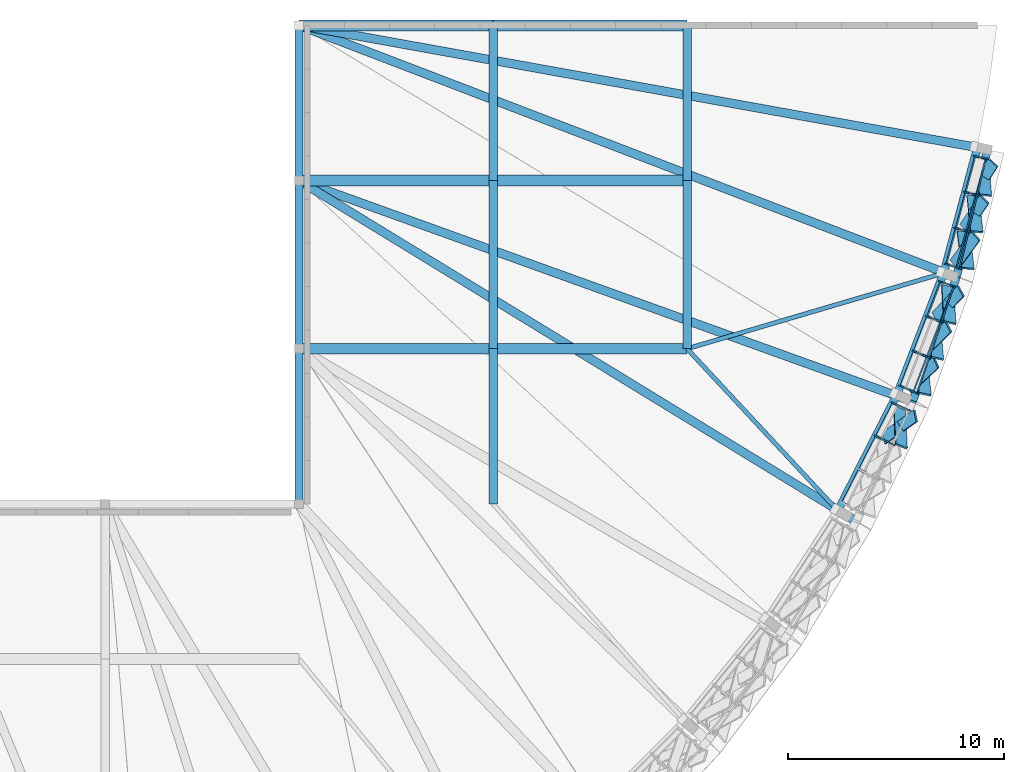
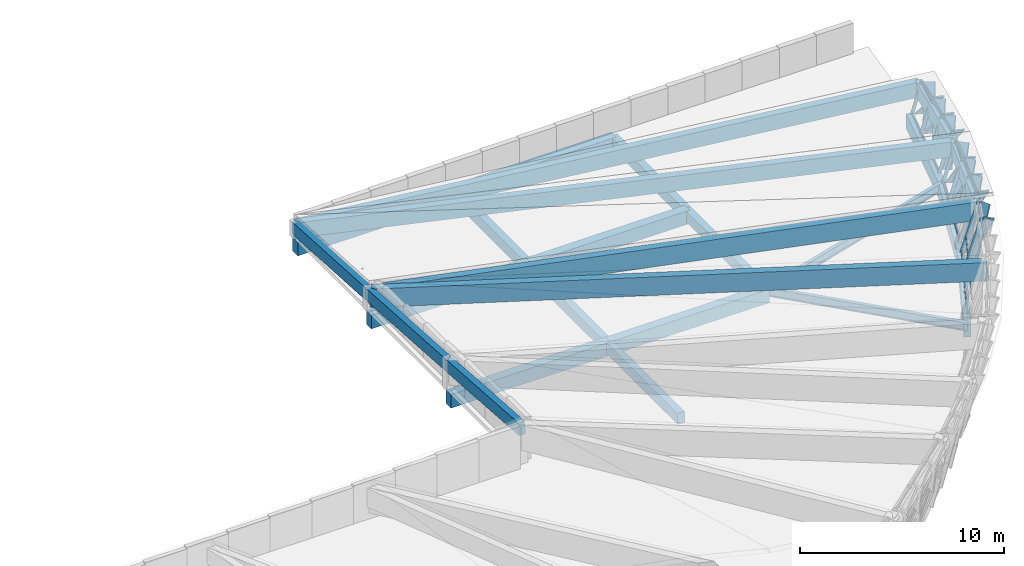
# One storey, part 7 of 11: 32 members, 25 beams, 3 elements without a shape of their own.
"""IFC4 building model written with IfcOpenShell, lengths in metres."""

from ifc_helpers import new_model, si_unit, direction, frame, origin, origin_2d, place, context, subcontext, project, spatial, rectangle, hollow_rectangle, i_section, extrude, material, material_profile, profile_set, type_object, element, aggregate, save


model = new_model("IFC4")

# Units and contexts
model_context = context("Model", 3, precision=1e-05, world=origin(), true_north=direction((0.0, 1.0)))
body_context = subcontext(model_context, "Body", "Model", "MODEL_VIEW")
ifc_project = project(units=[si_unit("LENGTHUNIT", "METRE"), si_unit("AREAUNIT", "SQUARE_METRE"), si_unit("VOLUMEUNIT", "CUBIC_METRE"), si_unit("PLANEANGLEUNIT", "RADIAN"), si_unit("MASSUNIT", "GRAM", prefix="KILO")], contexts=[model_context])

# Site, building, storey
site_placement = place(None, origin())
site = spatial("IfcSite", under=ifc_project, at=site_placement, CompositionType="ELEMENT")
building_placement = place(site_placement, origin())
building = spatial("IfcBuilding", under=site, at=building_placement, Name="Chiffa Square Polytechnic", CompositionType="ELEMENT")
storey_placement = place(building_placement, frame((0.0, 0.0, 30.60009765625)))
storey = spatial("IfcBuildingStorey", under=building, at=storey_placement, Name="ROOF", CompositionType="ELEMENT", Elevation=30.60009765625)

# Beams
ifc_material_1 = material(Name="Concrete C35/45", Category="concrete")
ifc_material_profile_1 = material_profile(ifc_material_1, rectangle(XDim=0.39990234375, YDim=0.64990234375, at=origin_2d()), Name="RC 400x650")
ifc_profile_set_1 = profile_set([ifc_material_profile_1], Name="Concrete C35/45")
beam_type_1 = type_object("IfcBeamType", Name="BM-RC-400X650", PredefinedType="BEAM", material=ifc_profile_set_1)
beam_1_placement = place(storey_placement, frame((157.199951171875, 28.800048828125, -1.30517578125), z_axis=(0.0, 1.0, 0.0), x_axis=(-1.0, 0.0, 0.0)))
element("IfcBeam", 1, at=beam_1_placement, inside=storey, type_object=beam_type_1, Name="Attic floor girder BM-V1-ROOF-Y-1572-0288", PredefinedType="BEAM", context=body_context, shape_type="SweptSolid", body=[
    extrude(rectangle(XDim=0.39990234375, YDim=0.64990234375, at=origin_2d()), origin(), (0.0, 0.0, 1.0), 7.199951171875),
])
beam_2_placement = place(storey_placement, frame((157.199951171875, 36.0, -1.30517578125), z_axis=(0.0, 1.0, 0.0), x_axis=(-1.0, 0.0, 0.0)))
element("IfcBeam", 2, at=beam_2_placement, inside=storey, type_object=beam_type_1, Name="Attic floor girder BM-V1-ROOF-Y-1572-0360", PredefinedType="BEAM", context=body_context, shape_type="SweptSolid", body=[
    extrude(rectangle(XDim=0.39990234375, YDim=0.64990234375, at=origin_2d()), origin(), (0.0, 0.0, 1.0), 7.800048828125),
])
beam_3_placement = place(storey_placement, frame((157.199951171875, 43.800048828125, -1.30517578125), z_axis=(0.0, 1.0, 0.0), x_axis=(-1.0, 0.0, 0.0)))
element("IfcBeam", 3, at=beam_3_placement, inside=storey, type_object=beam_type_1, Name="Attic floor girder BM-V1-ROOF-Y-1572-0438", PredefinedType="BEAM", context=body_context, shape_type="SweptSolid", body=[
    extrude(rectangle(XDim=0.39990234375, YDim=0.64990234375, at=origin_2d()), origin(), (0.0, 0.0, 1.0), 7.199951171875),
])
beam_4_placement = place(storey_placement, frame((166.199951171875, 36.0, -1.30517578125), z_axis=(0.0, 1.0, 0.0), x_axis=(-1.0, 0.0, 0.0)))
element("IfcBeam", 4, at=beam_4_placement, inside=storey, type_object=beam_type_1, Name="Attic floor girder BM-V1-ROOF-Y-1662-0360", PredefinedType="BEAM", context=body_context, shape_type="SweptSolid", body=[
    extrude(rectangle(XDim=0.39990234375, YDim=0.64990234375, at=origin_2d()), origin(), (0.0, 0.0, 1.0), 7.800048828125),
])
beam_5_placement = place(storey_placement, frame((166.199951171875, 43.800048828125, -1.30517578125), z_axis=(0.0, 1.0, 0.0), x_axis=(-1.0, 0.0, 0.0)))
element("IfcBeam", 5, at=beam_5_placement, inside=storey, type_object=beam_type_1, Name="Attic floor girder BM-V1-ROOF-Y-1662-0438", PredefinedType="BEAM", context=body_context, shape_type="SweptSolid", body=[
    extrude(rectangle(XDim=0.39990234375, YDim=0.64990234375, at=origin_2d()), origin(), (0.0, 0.0, 1.0), 7.199951171875),
])
ifc_material_2 = material(Name="Concrete C40/50", Category="concrete")
ifc_material_profile_2 = material_profile(ifc_material_2, rectangle(XDim=0.5, YDim=0.800048828125, at=origin_2d()), Name="RC 500x800")
ifc_profile_set_2 = profile_set([ifc_material_profile_2], Name="Concrete C40/50")
beam_type_2 = type_object("IfcBeamType", Name="BM-RC-500X800", PredefinedType="BEAM", material=ifc_profile_set_2)
for number, where, z_axis, x_axis, name in (
    (6, (148.199951171875, 36.0, -1.380126953125), (1.0, 0.0, 0.0), (0.0, 1.0, 0.0), "Attic floor girder BM-V1-ROOF-X-1482-0360"),
    (7, (157.199951171875, 36.0, -1.380126953125), (1.0, 0.0, 0.0), (0.0, 1.0, 0.0), "Attic floor girder BM-V1-ROOF-X-1572-0360"),
    (8, (148.199951171875, 43.800048828125, -1.380126953125), (1.0, 0.0, 0.0), (0.0, 1.0, 0.0), "Attic floor girder BM-V1-ROOF-X-1482-0438"),
    (9, (157.199951171875, 43.800048828125, -1.380126953125), (1.0, 0.0, 0.0), (0.0, 1.0, 0.0), "Attic floor girder BM-V1-ROOF-X-1572-0438"),
    (10, (148.199951171875, 51.0, -1.380126953125), (1.0, 0.0, 0.0), (0.0, 1.0, 0.0), "Attic floor girder BM-V1-ROOF-X-1482-0510"),
    (11, (157.199951171875, 51.0, -1.380126953125), (1.0, 0.0, 0.0), (0.0, 1.0, 0.0), "Attic floor girder BM-V1-ROOF-X-1572-0510"),
):
    element("IfcBeam", number, at=place(storey_placement, frame(where, z_axis=z_axis, x_axis=x_axis)), inside=storey, type_object=beam_type_2, Name=name, PredefinedType="BEAM", context=body_context, shape_type="SweptSolid", body=[
        extrude(rectangle(XDim=0.5, YDim=0.800048828125, at=origin_2d()), origin(), (0.0, 0.0, 1.0), 9.0),
    ])
ifc_material_3 = material(Name="Steel S355", Category="steel")
ifc_material_profile_3 = material_profile(ifc_material_3, i_section(OverallWidth=0.199951171875, OverallDepth=0.5, WebThickness=0.01025390625, FlangeThickness=0.01611328125, FilletRadius=0.02099609375, at=origin_2d()), Name="IPE 500")
ifc_profile_set_3 = profile_set([ifc_material_profile_3], Name="Steel S355")
beam_type_3 = type_object("IfcBeamType", Name="BM-STL-IPE500", PredefinedType="BEAM", material=ifc_profile_set_3)
beam_6_placement = place(storey_placement, frame((173.196044921875, 28.485107421875, -1.22998046875), z_axis=(-0.681390856765, 0.731919736253, 0.0), x_axis=(-0.731919736253, -0.681390856765, 0.0)))
element("IfcBeam", 12, at=beam_6_placement, inside=storey, type_object=beam_type_3, Name="Prow attic radial tie girder BM-V1-RAD-ROOF-13", PredefinedType="BEAM", context=body_context, shape_type="SweptSolid", body=[
    extrude(i_section(OverallWidth=0.199951171875, OverallDepth=0.5, WebThickness=0.01025390625, FlangeThickness=0.01611328125, FilletRadius=0.02099609375, at=origin_2d()), origin(), (0.0, 0.0, 1.0), 10.267333984375),
])
beam_7_placement = place(storey_placement, frame((178.10498046875, 39.510009765625, -1.22998046875), z_axis=(-0.959179240242, -0.282798842093, 0.0), x_axis=(0.282798842093, -0.959179240242, 0.0)))
element("IfcBeam", 13, at=beam_7_placement, inside=storey, type_object=beam_type_3, Name="Prow attic radial tie girder BM-V1-RAD-ROOF-15", PredefinedType="BEAM", context=body_context, shape_type="SweptSolid", body=[
    extrude(i_section(OverallWidth=0.199951171875, OverallDepth=0.5, WebThickness=0.01025390625, FlangeThickness=0.01611328125, FilletRadius=0.02099609375, at=origin_2d()), origin(), (0.0, 0.0, 1.0), 12.41162109375),
])

# Curtain wall, members
ifc_material_4 = material(Name="Aluminium EN AW-6060 T66 and glulam shading", Category="wood")
curtain_wall_type_1 = type_object("IfcCurtainWallType", Name="CW-PROW-LEAN-150", PredefinedType="USERDEFINED", material=ifc_material_4)
curtain_wall_1_placement = place(storey_placement, origin())
curtain_wall_1 = element("IfcCurtainWall", 14, at=curtain_wall_1_placement, inside=storey, type_object=curtain_wall_type_1, Name="Outward-leaning diamond-fin prow curtain wall CW-V1-ROOF-122", ObjectType="CURTAIN WALL", PredefinedType="USERDEFINED")
ifc_material_5 = material(Name="Aluminium EN AW-6060 T66", Category="aluminium")
ifc_material_profile_4 = material_profile(ifc_material_5, hollow_rectangle(XDim=0.06494140625, YDim=0.179931640625, WallThickness=0.00390625, at=origin_2d()), Name="ALU 65x180x4")
ifc_profile_set_4 = profile_set([ifc_material_profile_4], Name="Aluminium EN AW-6060 T66")
member_type_1 = type_object("IfcMemberType", Name="CWM-ALU-75X180", PredefinedType="MULLION", material=ifc_profile_set_4)
member_1_placement = place(storey_placement, frame((174.959716796875, 31.94677734375, -0.75), z_axis=(0.244420451945, -0.119281281072, 0.962304847051), x_axis=(0.438577453458, 0.8986933945, 0.0)))
member_1 = element("IfcMember", 15, at=member_1_placement, type_object=member_type_1, Name="Leaning prow mullion CW-V1-ROOF-122-M02", PredefinedType="MULLION", context=body_context, shape_type="SweptSolid", body=[
    extrude(hollow_rectangle(XDim=0.06494140625, YDim=0.179931640625, WallThickness=0.00390625, at=origin_2d()), origin(), (0.0, 0.0, 1.0), 3.334228515625),
])
member_2_placement = place(storey_placement, frame((175.743896484375, 33.486083984375, -0.75), z_axis=(0.248767953863, -0.110781936471, 0.962206769714), x_axis=(0.406808070942, 0.913513652562, 0.0)))
member_2 = element("IfcMember", 16, at=member_2_placement, type_object=member_type_1, Name="Leaning prow mullion CW-V1-ROOF-122-M03", PredefinedType="MULLION", context=body_context, shape_type="SweptSolid", body=[
    extrude(hollow_rectangle(XDim=0.06494140625, YDim=0.179931640625, WallThickness=0.00390625, at=origin_2d()), origin(), (0.0, 0.0, 1.0), 3.105224609375),
])

curtain_wall_type_2 = type_object("IfcCurtainWallType", Name="CW-PROW-LEAN-300", PredefinedType="USERDEFINED", material=ifc_material_4)
curtain_wall_2_placement = place(storey_placement, origin())
curtain_wall_2 = element("IfcCurtainWall", 17, at=curtain_wall_2_placement, inside=storey, type_object=curtain_wall_type_2, Name="Outward-leaning diamond-fin prow curtain wall CW-V1-ROOF-123", ObjectType="CURTAIN WALL", PredefinedType="USERDEFINED")
member_3_placement = place(storey_placement, frame((176.093017578125, 34.27001953125, -0.75), z_axis=(0.248694192904, -0.110784103004, 0.962225587343), x_axis=(0.406915392351, 0.913465852382, 0.0)))
member_3 = element("IfcMember", 18, at=member_3_placement, type_object=member_type_1, Name="Leaning prow mullion CW-V1-ROOF-123-M00", PredefinedType="MULLION", context=body_context, shape_type="SweptSolid", body=[
    extrude(hollow_rectangle(XDim=0.06494140625, YDim=0.179931640625, WallThickness=0.00390625, at=origin_2d()), origin(), (0.0, 0.0, 1.0), 3.10498046875),
])
member_4_placement = place(storey_placement, frame((176.71240234375, 35.883056640625, -0.75), z_axis=(0.25207532407, -0.101791541035, 0.962339084299), x_axis=(0.374437403162, 0.927252193911, 0.0)))
member_4 = element("IfcMember", 19, at=member_4_placement, type_object=member_type_1, Name="Leaning prow mullion CW-V1-ROOF-123-M01", PredefinedType="MULLION", context=body_context, shape_type="SweptSolid", body=[
    extrude(hollow_rectangle(XDim=0.06494140625, YDim=0.179931640625, WallThickness=0.00390625, at=origin_2d()), origin(), (0.0, 0.0, 1.0), 2.89501953125),
])
member_5_placement = place(storey_placement, frame((177.331787109375, 37.49609375, -0.75), z_axis=(0.25541005661, -0.092925980013, 0.962356724516), x_axis=(0.341904225365, 0.939734803377, 0.0)))
member_5 = element("IfcMember", 20, at=member_5_placement, type_object=member_type_1, Name="Leaning prow mullion CW-V1-ROOF-123-M02", PredefinedType="MULLION", context=body_context, shape_type="SweptSolid", body=[
    extrude(hollow_rectangle(XDim=0.06494140625, YDim=0.179931640625, WallThickness=0.00390625, at=origin_2d()), origin(), (0.0, 0.0, 1.0), 2.68505859375),
])
member_6_placement = place(storey_placement, frame((177.950927734375, 39.10888671875, -0.75), z_axis=(0.258817635325, -0.083839554126, 0.962280811826), x_axis=(0.308167768083, 0.951332027588, 0.0)))
member_6 = element("IfcMember", 21, at=member_6_placement, type_object=member_type_1, Name="Leaning prow mullion CW-V1-ROOF-123-M03", PredefinedType="MULLION", context=body_context, shape_type="SweptSolid", body=[
    extrude(hollow_rectangle(XDim=0.06494140625, YDim=0.179931640625, WallThickness=0.00390625, at=origin_2d()), origin(), (0.0, 0.0, 1.0), 2.47509765625),
])

curtain_wall_3_placement = place(storey_placement, origin())
curtain_wall_3 = element("IfcCurtainWall", 22, at=curtain_wall_3_placement, inside=storey, type_object=curtain_wall_type_1, Name="Outward-leaning diamond-fin prow curtain wall CW-V1-ROOF-124", ObjectType="CURTAIN WALL", PredefinedType="USERDEFINED")
member_7_placement = place(storey_placement, frame((178.216064453125, 39.925048828125, -0.75), z_axis=(0.258633566102, -0.083843833405, 0.962329927876), x_axis=(0.308380484769, 0.95126309537, 0.0)))
member_7 = element("IfcMember", 23, at=member_7_placement, type_object=member_type_1, Name="Leaning prow mullion CW-V1-ROOF-124-M00", PredefinedType="MULLION", context=body_context, shape_type="SweptSolid", body=[
    extrude(hollow_rectangle(XDim=0.06494140625, YDim=0.179931640625, WallThickness=0.00390625, at=origin_2d()), origin(), (0.0, 0.0, 1.0), 2.47509765625),
])
member_8_placement = place(storey_placement, frame((178.663330078125, 41.593994140625, -0.75), z_axis=(0.261136991124, -0.07467152524, 0.962409286731), x_axis=(0.274928614795, 0.961464641454, 0.0)))
member_8 = element("IfcMember", 24, at=member_8_placement, type_object=member_type_1, Name="Leaning prow mullion CW-V1-ROOF-124-M01", PredefinedType="MULLION", context=body_context, shape_type="SweptSolid", body=[
    extrude(hollow_rectangle(XDim=0.06494140625, YDim=0.179931640625, WallThickness=0.00390625, at=origin_2d()), origin(), (0.0, 0.0, 1.0), 2.28857421875),
])
member_9_placement = place(storey_placement, frame((179.110595703125, 43.262939453125, -0.75), z_axis=(0.263621330158, -0.065615000678, 0.962392054192), x_axis=(0.241529645036, 0.97039344112, 0.0)))
member_9 = element("IfcMember", 25, at=member_9_placement, type_object=member_type_1, Name="Leaning prow mullion CW-V1-ROOF-124-M02", PredefinedType="MULLION", context=body_context, shape_type="SweptSolid", body=[
    extrude(hollow_rectangle(XDim=0.06494140625, YDim=0.179931640625, WallThickness=0.00390625, at=origin_2d()), origin(), (0.0, 0.0, 1.0), 2.102294921875),
])
member_10_placement = place(storey_placement, frame((179.55810546875, 44.931884765625, -0.75), z_axis=(0.2659092272, -0.05644359734, 0.962344222827), x_axis=(0.207640125059, 0.978205284419, 0.0)))
member_10 = element("IfcMember", 26, at=member_10_placement, type_object=member_type_1, Name="Leaning prow mullion CW-V1-ROOF-124-M03", PredefinedType="MULLION", context=body_context, shape_type="SweptSolid", body=[
    extrude(hollow_rectangle(XDim=0.06494140625, YDim=0.179931640625, WallThickness=0.00390625, at=origin_2d()), origin(), (0.0, 0.0, 1.0), 1.916259765625),
])

# Member
ifc_material_6 = material(Name="Glulam GL28h", Category="wood")
ifc_material_profile_5 = material_profile(ifc_material_6, rectangle(XDim=0.080078125, YDim=0.580078125, at=origin_2d()), Name="GL28h 80x580")
ifc_profile_set_5 = profile_set([ifc_material_profile_5], Name="Glulam GL28h")
member_type_2 = type_object("IfcMemberType", Name="CWM-GL-80X580", PredefinedType="MULLION", material=ifc_profile_set_5)
member_11_placement = place(storey_placement, frame((175.346923828125, 31.85595703125, -0.710205078125), z_axis=(0.42471706852, 0.301911612384, 0.853501487999), x_axis=(-0.882863855577, -0.070580532514, 0.464294950377)))
member_11 = element("IfcMember", 27, at=member_11_placement, type_object=member_type_2, Name="Diamond glulam fin CW-V1-ROOF-122-DF03A", PredefinedType="MULLION", context=body_context, shape_type="SweptSolid", body=[
    extrude(rectangle(XDim=0.080078125, YDim=0.580078125, at=origin_2d()), origin(), (0.0, 0.0, 1.0), 3.42138671875),
])

member_12_placement = place(storey_placement, frame((176.044921875, 33.22607421875, -0.710205078125), z_axis=(0.026265838015, -0.490454829842, 0.871070700712), x_axis=(0.41183546278, 0.799297317357, 0.437624668023)))
member_12 = element("IfcMember", 28, at=member_12_placement, type_object=member_type_2, Name="Diamond glulam fin CW-V1-ROOF-122-DF03B", PredefinedType="MULLION", context=body_context, shape_type="SweptSolid", body=[
    extrude(rectangle(XDim=0.080078125, YDim=0.580078125, at=origin_2d()), origin(), (0.0, 0.0, 1.0), 3.57861328125),
])

member_13_placement = place(storey_placement, frame((176.487060546875, 34.219970703125, -0.710205078125), z_axis=(0.393653572989, 0.357507149798, 0.846891670945), x_axis=(-0.826225072852, -0.266258667059, 0.496445819005)))
member_13 = element("IfcMember", 29, at=member_13_placement, type_object=member_type_2, Name="Diamond glulam fin CW-V1-ROOF-123-DF01A", PredefinedType="MULLION", context=body_context, shape_type="SweptSolid", body=[
    extrude(rectangle(XDim=0.080078125, YDim=0.580078125, at=origin_2d()), origin(), (0.0, 0.0, 1.0), 3.208251953125),
])

member_14_placement = place(storey_placement, frame((177.0390625, 35.656005859375, -0.710205078125), z_axis=(0.058236918176, -0.520039163289, 0.852154757076), x_axis=(0.267604457387, 0.830495756849, 0.488533163913)))
member_14 = element("IfcMember", 30, at=member_14_placement, type_object=member_type_2, Name="Diamond glulam fin CW-V1-ROOF-123-DF01B", PredefinedType="MULLION", context=body_context, shape_type="SweptSolid", body=[
    extrude(rectangle(XDim=0.080078125, YDim=0.580078125, at=origin_2d()), origin(), (0.0, 0.0, 1.0), 3.39990234375),
])

member_15_placement = place(storey_placement, frame((177.10693359375, 35.8330078125, -0.710205078125), z_axis=(0.400913368887, 0.392314906175, 0.827863204304), x_axis=(-0.803040892286, -0.284414467641, 0.523673310293)))
member_15 = element("IfcMember", 31, at=member_15_placement, type_object=member_type_2, Name="Diamond glulam fin CW-V1-ROOF-123-DF02A", PredefinedType="MULLION", context=body_context, shape_type="SweptSolid", body=[
    extrude(rectangle(XDim=0.080078125, YDim=0.580078125, at=origin_2d()), origin(), (0.0, 0.0, 1.0), 3.0380859375),
])

member_16_placement = place(storey_placement, frame((177.657958984375, 37.26904296875, -0.710205078125), z_axis=(0.048433113952, -0.5373406107, 0.841973456568), x_axis=(0.286356589216, 0.815047236162, 0.503684332332)))
member_16 = element("IfcMember", 32, at=member_16_placement, type_object=member_type_2, Name="Diamond glulam fin CW-V1-ROOF-123-DF02B", PredefinedType="MULLION", context=body_context, shape_type="SweptSolid", body=[
    extrude(rectangle(XDim=0.080078125, YDim=0.580078125, at=origin_2d()), origin(), (0.0, 0.0, 1.0), 3.200927734375),
])

member_17_placement = place(storey_placement, frame((177.72607421875, 37.446044921875, -0.710205078125), z_axis=(0.408384698559, 0.42963702467, 0.805378150322), x_axis=(-0.777760848778, -0.298072338941, 0.553390407277)))
member_17 = element("IfcMember", 33, at=member_17_placement, type_object=member_type_2, Name="Diamond glulam fin CW-V1-ROOF-123-DF03A", PredefinedType="MULLION", context=body_context, shape_type="SweptSolid", body=[
    extrude(rectangle(XDim=0.080078125, YDim=0.580078125, at=origin_2d()), origin(), (0.0, 0.0, 1.0), 2.871826171875),
])

member_18_placement = place(storey_placement, frame((178.278076171875, 38.882080078125, -0.710205078125), z_axis=(0.036877143882, -0.557299744883, 0.829492055786), x_axis=(0.30645501106, 0.796369559057, 0.521421951593)))
member_18 = element("IfcMember", 34, at=member_18_placement, type_object=member_type_2, Name="Diamond glulam fin CW-V1-ROOF-123-DF03B", PredefinedType="MULLION", context=body_context, shape_type="SweptSolid", body=[
    extrude(rectangle(XDim=0.080078125, YDim=0.580078125, at=origin_2d()), origin(), (0.0, 0.0, 1.0), 3.005615234375),
])

member_19_placement = place(storey_placement, frame((178.614013671875, 39.916015625, -0.710205078125), z_axis=(0.362688639363, 0.490146752995, 0.792598960008), x_axis=(-0.663444381528, -0.461475528238, 0.588966798263)))
member_19 = element("IfcMember", 35, at=member_19_placement, type_object=member_type_2, Name="Diamond glulam fin CW-V1-ROOF-124-DF01A", PredefinedType="MULLION", context=body_context, shape_type="SweptSolid", body=[
    extrude(rectangle(XDim=0.080078125, YDim=0.580078125, at=origin_2d()), origin(), (0.0, 0.0, 1.0), 2.691162109375),
])

member_20_placement = place(storey_placement, frame((179.011962890625, 41.402099609375, -0.710205078125), z_axis=(0.076429713451, -0.590383161687, 0.803496248466), x_axis=(0.15703410907, 0.802923652403, 0.575025127277)))
member_20 = element("IfcMember", 36, at=member_20_placement, type_object=member_type_2, Name="Diamond glulam fin CW-V1-ROOF-124-DF01B", PredefinedType="MULLION", context=body_context, shape_type="SweptSolid", body=[
    extrude(rectangle(XDim=0.080078125, YDim=0.580078125, at=origin_2d()), origin(), (0.0, 0.0, 1.0), 2.8525390625),
])

member_21_placement = place(storey_placement, frame((179.06103515625, 41.5859375, -0.710205078125), z_axis=(0.365607940421, 0.529514352864, 0.765470694418), x_axis=(-0.633089361655, -0.461388821024, 0.621545023304)))
member_21 = element("IfcMember", 37, at=member_21_placement, type_object=member_type_2, Name="Diamond glulam fin CW-V1-ROOF-124-DF02A", PredefinedType="MULLION", context=body_context, shape_type="SweptSolid", body=[
    extrude(rectangle(XDim=0.080078125, YDim=0.580078125, at=origin_2d()), origin(), (0.0, 0.0, 1.0), 2.551513671875),
])

member_22_placement = place(storey_placement, frame((179.458984375, 43.071044921875, -0.710205078125), z_axis=(0.065547793181, -0.613658257934, 0.786846255173), x_axis=(0.176631263643, 0.783225431925, 0.596120222346)))
member_22 = element("IfcMember", 38, at=member_22_placement, type_object=member_type_2, Name="Diamond glulam fin CW-V1-ROOF-124-DF02B", PredefinedType="MULLION", context=body_context, shape_type="SweptSolid", body=[
    extrude(rectangle(XDim=0.080078125, YDim=0.580078125, at=origin_2d()), origin(), (0.0, 0.0, 1.0), 2.685546875),
])

member_23_placement = place(storey_placement, frame((179.508056640625, 43.2548828125, -0.710205078125), z_axis=(0.367669344253, 0.571245668893, 0.73382398371), x_axis=(-0.601261052287, -0.455957873383, 0.656191713376)))
member_23 = element("IfcMember", 39, at=member_23_placement, type_object=member_type_2, Name="Diamond glulam fin CW-V1-ROOF-124-DF03A", PredefinedType="MULLION", context=body_context, shape_type="SweptSolid", body=[
    extrude(rectangle(XDim=0.080078125, YDim=0.580078125, at=origin_2d()), origin(), (0.0, 0.0, 1.0), 2.417724609375),
])

member_24_placement = place(storey_placement, frame((179.906982421875, 44.740966796875, -0.710205078125), z_axis=(0.051950851248, -0.640727165396, 0.766009013379), x_axis=(0.198176161587, 0.758404372071, 0.620925935521)))
member_24 = element("IfcMember", 40, at=member_24_placement, type_object=member_type_2, Name="Diamond glulam fin CW-V1-ROOF-124-DF03B", PredefinedType="MULLION", context=body_context, shape_type="SweptSolid", body=[
    extrude(rectangle(XDim=0.080078125, YDim=0.580078125, at=origin_2d()), origin(), (0.0, 0.0, 1.0), 2.523681640625),
])

ifc_material_profile_6 = material_profile(ifc_material_5, hollow_rectangle(XDim=0.06494140625, YDim=0.139892578125, WallThickness=0.00390625, at=origin_2d()), Name="ALU 65x140x4")
ifc_profile_set_6 = profile_set([ifc_material_profile_6], Name="Aluminium EN AW-6060 T66")
member_type_3 = type_object("IfcMemberType", Name="CWT-ALU-75X140", PredefinedType="USERDEFINED", material=ifc_profile_set_6)
member_25_placement = place(storey_placement, frame((173.40087890625, 28.8623046875, -0.710205078125), z_axis=(0.453982218277, 0.891010743756, 0.0), x_axis=(-0.891010743756, 0.453982218277, 0.0)))
member_25 = element("IfcMember", 41, at=member_25_placement, type_object=member_type_3, Name="Leaning prow transom CW-V1-ROOF-122-T01", ObjectType="TRANSOM", PredefinedType="USERDEFINED", context=body_context, shape_type="SweptSolid", body=[
    extrude(hollow_rectangle(XDim=0.06494140625, YDim=0.139892578125, WallThickness=0.00390625, at=origin_2d()), origin(), (0.0, 0.0, 1.0), 5.18408203125),
])

member_26_placement = place(storey_placement, frame((173.59912109375, 28.74755859375, 0.099853515625), z_axis=(0.453988276423, 0.891007657021, 0.0), x_axis=(-0.891007657021, 0.453988276423, 0.0)))
member_26 = element("IfcMember", 42, at=member_26_placement, type_object=member_type_3, Name="Leaning prow transom CW-V1-ROOF-122-T02", ObjectType="TRANSOM", PredefinedType="USERDEFINED", context=body_context, shape_type="SweptSolid", body=[
    extrude(hollow_rectangle(XDim=0.06494140625, YDim=0.139892578125, WallThickness=0.00390625, at=origin_2d()), origin(), (0.0, 0.0, 1.0), 5.208251953125),
])

aggregate(curtain_wall_1, [member_1, member_2, member_25, member_26, member_11, member_12])

member_27_placement = place(storey_placement, frame((176.103271484375, 34.265380859375, -0.710205078125), z_axis=(0.358486781862, 0.933534802367, 0.0), x_axis=(-0.933534802367, 0.358486781862, 0.0)))
member_27 = element("IfcMember", 43, at=member_27_placement, type_object=member_type_3, Name="Leaning prow transom CW-V1-ROOF-123-T01", ObjectType="TRANSOM", PredefinedType="USERDEFINED", context=body_context, shape_type="SweptSolid", body=[
    extrude(hollow_rectangle(XDim=0.06494140625, YDim=0.139892578125, WallThickness=0.00390625, at=origin_2d()), origin(), (0.0, 0.0, 1.0), 5.1845703125),
])

member_28_placement = place(storey_placement, frame((176.6982421875, 34.00048828125, 1.591796875), z_axis=(0.358365489382, 0.933581370862, 0.0), x_axis=(-0.933581370862, 0.358365489382, 0.0)))
member_28 = element("IfcMember", 44, at=member_28_placement, type_object=member_type_3, Name="Leaning prow transom CW-V1-ROOF-123-T02", ObjectType="TRANSOM", PredefinedType="USERDEFINED", context=body_context, shape_type="SweptSolid", body=[
    extrude(hollow_rectangle(XDim=0.06494140625, YDim=0.139892578125, WallThickness=0.00390625, at=origin_2d()), origin(), (0.0, 0.0, 1.0), 5.253173828125),
])

member_29_placement = place(storey_placement, frame((176.880615234375, 34.005615234375, 2.18798828125), z_axis=(0.32455638235, 0.938493444355, -0.117869459906), x_axis=(-0.945081514524, 0.326834714962, 0.0)))
member_29 = element("IfcMember", 45, at=member_29_placement, type_object=member_type_3, Name="Swept prow eave transom CW-V1-ROOF-123-TSLP", ObjectType="TRANSOM", PredefinedType="USERDEFINED", context=body_context, shape_type="SweptSolid", body=[
    extrude(hollow_rectangle(XDim=0.06494140625, YDim=0.139892578125, WallThickness=0.00390625, at=origin_2d()), origin(), (0.0, 0.0, 1.0), 5.14306640625),
])

aggregate(curtain_wall_2, [member_3, member_4, member_5, member_6, member_27, member_28, member_29, member_13, member_14, member_15, member_16, member_17, member_18])

member_30_placement = place(storey_placement, frame((178.226806640625, 39.92138671875, -0.710205078125), z_axis=(0.258875727753, 0.965910636436, 0.0), x_axis=(-0.965910636436, 0.258875727753, 0.0)))
member_30 = element("IfcMember", 46, at=member_30_placement, type_object=member_type_3, Name="Leaning prow transom CW-V1-ROOF-124-T01", ObjectType="TRANSOM", PredefinedType="USERDEFINED", context=body_context, shape_type="SweptSolid", body=[
    extrude(hollow_rectangle(XDim=0.06494140625, YDim=0.139892578125, WallThickness=0.00390625, at=origin_2d()), origin(), (0.0, 0.0, 1.0), 5.18505859375),
])

member_31_placement = place(storey_placement, frame((178.700927734375, 39.767822265625, 1.053955078125), z_axis=(0.258878229672, 0.965909965888, 0.0), x_axis=(-0.965909965888, 0.258878229672, 0.0)))
member_31 = element("IfcMember", 47, at=member_31_placement, type_object=member_type_3, Name="Leaning prow transom CW-V1-ROOF-124-T02", ObjectType="TRANSOM", PredefinedType="USERDEFINED", context=body_context, shape_type="SweptSolid", body=[
    extrude(hollow_rectangle(XDim=0.06494140625, YDim=0.139892578125, WallThickness=0.00390625, at=origin_2d()), origin(), (0.0, 0.0, 1.0), 5.23681640625),
])

member_32_placement = place(storey_placement, frame((178.86328125, 39.798095703125, 1.581787109375), z_axis=(0.228656273864, 0.967817614831, -0.105096968772), x_axis=(-0.973207257315, 0.229929629039, 0.0)))
member_32 = element("IfcMember", 48, at=member_32_placement, type_object=member_type_3, Name="Swept prow eave transom CW-V1-ROOF-124-TSLP", ObjectType="TRANSOM", PredefinedType="USERDEFINED", context=body_context, shape_type="SweptSolid", body=[
    extrude(hollow_rectangle(XDim=0.06494140625, YDim=0.139892578125, WallThickness=0.00390625, at=origin_2d()), origin(), (0.0, 0.0, 1.0), 5.11767578125),
])

aggregate(curtain_wall_3, [member_7, member_8, member_9, member_10, member_30, member_31, member_32, member_19, member_20, member_21, member_22, member_23, member_24])

# Beams
ifc_material_7 = material(Name="Glulam GL32c", Category="wood")
ifc_material_profile_7 = material_profile(ifc_material_7, rectangle(XDim=0.360107421875, YDim=0.719970703125, at=origin_2d()), Name="GL32c 360x720")
ifc_profile_set_7 = profile_set([ifc_material_profile_7], Name="Glulam GL32c")
beam_type_4 = type_object("IfcBeamType", Name="RB-GL-360X720", PredefinedType="SPANDREL", material=ifc_profile_set_7)
beam_8_placement = place(storey_placement, frame((148.199951171875, 28.800048828125, 1.219970703125), z_axis=(0.0, 0.997597388498, -0.069278066245), x_axis=(-1.0, 0.0, 0.0)))
element("IfcBeam", 49, at=beam_8_placement, inside=storey, type_object=beam_type_4, Name="Faculty courtyard roof spine girder RB-V1-SPINE-05", PredefinedType="SPANDREL", context=body_context, shape_type="SweptSolid", body=[
    extrude(rectangle(XDim=0.360107421875, YDim=0.719970703125, at=origin_2d()), origin(), (0.0, 0.0, 1.0), 7.21728515625),
])
beam_9_placement = place(storey_placement, frame((148.199951171875, 36.0, 0.719970703125), z_axis=(0.0, 0.997951766481, -0.063970866623), x_axis=(-1.0, 0.0, 0.0)))
element("IfcBeam", 50, at=beam_9_placement, inside=storey, type_object=beam_type_4, Name="Faculty courtyard roof spine girder RB-V1-SPINE-06", PredefinedType="SPANDREL", context=body_context, shape_type="SweptSolid", body=[
    extrude(rectangle(XDim=0.360107421875, YDim=0.719970703125, at=origin_2d()), origin(), (0.0, 0.0, 1.0), 7.816162109375),
])
beam_10_placement = place(storey_placement, frame((148.199951171875, 43.800048828125, 0.219970703125), z_axis=(0.0, 0.998342673205, -0.05754916905), x_axis=(-1.0, 0.0, 0.0)))
element("IfcBeam", 51, at=beam_10_placement, inside=storey, type_object=beam_type_4, Name="Faculty courtyard roof spine girder RB-V1-SPINE-07", PredefinedType="SPANDREL", context=body_context, shape_type="SweptSolid", body=[
    extrude(rectangle(XDim=0.360107421875, YDim=0.719970703125, at=origin_2d()), origin(), (0.0, 0.0, 1.0), 7.2119140625),
])
ifc_material_profile_8 = material_profile(ifc_material_7, rectangle(XDim=0.360107421875, YDim=0.89990234375, at=origin_2d()), Name="GL32c 360x900")
ifc_profile_set_8 = profile_set([ifc_material_profile_8], Name="Glulam GL32c")
beam_type_5 = type_object("IfcBeamType", Name="RB-GL-360X900", PredefinedType="SPANDREL", material=ifc_profile_set_8)
beam_11_placement = place(storey_placement, frame((176.6650390625, 33.5458984375, 1.597900390625), z_axis=(0.330438055482, 0.938669583776, -0.098539859871), x_axis=(-0.943260333083, 0.332054128167, 0.0)))
element("IfcBeam", 52, at=beam_11_placement, inside=storey, type_object=beam_type_5, Name="Swept prow eave glulam girder RB-V1-PROW-ROOF-14", PredefinedType="SPANDREL", context=body_context, shape_type="SweptSolid", body=[
    extrude(rectangle(XDim=0.360107421875, YDim=0.89990234375, at=origin_2d()), origin(), (0.0, 0.0, 1.0), 6.1494140625),
])
beam_12_placement = place(storey_placement, frame((178.697021484375, 39.318115234375, 0.991943359375), z_axis=(0.233892095633, 0.968286973521, -0.087834073739), x_axis=(-0.972043807072, 0.234799568, 0.0)))
element("IfcBeam", 53, at=beam_12_placement, inside=storey, type_object=beam_type_5, Name="Swept prow eave glulam girder RB-V1-PROW-ROOF-15", PredefinedType="SPANDREL", context=body_context, shape_type="SweptSolid", body=[
    extrude(rectangle(XDim=0.360107421875, YDim=0.89990234375, at=origin_2d()), origin(), (0.0, 0.0, 1.0), 6.126220703125),
])
beam_13_placement = place(storey_placement, frame((173.196044921875, 28.485107421875, -1.43017578125), z_axis=(0.453956650641, 0.891023770355, 0.0), x_axis=(-0.891023770355, 0.453956650641, 0.0)))
element("IfcBeam", 54, at=beam_13_placement, inside=storey, type_object=beam_type_5, Name="Prow attic perimeter beam RB-V1-ATTIC-13", PredefinedType="SPANDREL", context=body_context, shape_type="SweptSolid", body=[
    extrude(rectangle(XDim=0.360107421875, YDim=0.89990234375, at=origin_2d()), origin(), (0.0, 0.0, 1.0), 6.042236328125),
])
for number, where, z_axis, x_axis, name in (
    (55, (175.93896484375, 33.868896484375, -1.43017578125), (0.358453785856, 0.933547472497, 0.0), (-0.933547472497, 0.358453785856, 0.0), "Prow attic perimeter beam RB-V1-ATTIC-14"),
    (56, (178.10498046875, 39.510009765625, -1.43017578125), (0.258814171358, 0.965927132192, 0.0), (-0.965927132192, 0.258814171358, 0.0), "Prow attic perimeter beam RB-V1-ATTIC-15"),
):
    element("IfcBeam", number, at=place(storey_placement, frame(where, z_axis=z_axis, x_axis=x_axis)), inside=storey, type_object=beam_type_5, Name=name, PredefinedType="SPANDREL", context=body_context, shape_type="SweptSolid", body=[
        extrude(rectangle(XDim=0.360107421875, YDim=0.89990234375, at=origin_2d()), origin(), (0.0, 0.0, 1.0), 6.042724609375),
    ])
ifc_material_profile_9 = material_profile(ifc_material_7, rectangle(XDim=0.39990234375, YDim=1.10009765625, at=origin_2d()), Name="GL32c 400x1100")
ifc_profile_set_9 = profile_set([ifc_material_profile_9], Name="Glulam GL32c")
beam_type_6 = type_object("IfcBeamType", Name="RB-GL-400X1100", PredefinedType="SPANDREL", material=ifc_profile_set_9)
beam_14_placement = place(storey_placement, frame((148.199951171875, 43.800048828125, 0.02978515625), z_axis=(0.851013335494, -0.520439289345, 0.070137357504), x_axis=(0.521724116788, 0.853114263133, 0.0)))
element("IfcBeam", 57, at=beam_14_placement, inside=storey, type_object=beam_type_6, Name="Swept prow radial glulam girder RB-V1-SWEPT-13", PredefinedType="SPANDREL", context=body_context, shape_type="SweptSolid", body=[
    extrude(rectangle(XDim=0.39990234375, YDim=1.10009765625, at=origin_2d()), origin(), (0.0, 0.0, 1.0), 30.370849609375),
])
beam_15_placement = place(storey_placement, frame((148.199951171875, 43.800048828125, 0.02978515625), z_axis=(0.939711125731, -0.338517809747, 0.04846331254), x_axis=(0.338916048538, 0.940816619774, 0.0)))
element("IfcBeam", 58, at=beam_15_placement, inside=storey, type_object=beam_type_6, Name="Swept prow radial glulam girder RB-V1-SWEPT-14", PredefinedType="SPANDREL", context=body_context, shape_type="SweptSolid", body=[
    extrude(rectangle(XDim=0.39990234375, YDim=1.10009765625, at=origin_2d()), origin(), (0.0, 0.0, 1.0), 30.291259765625),
])
ifc_material_profile_10 = material_profile(ifc_material_7, rectangle(XDim=0.39990234375, YDim=0.89990234375, at=origin_2d()), Name="GL32c 400x900")
ifc_profile_set_10 = profile_set([ifc_material_profile_10], Name="Glulam GL32c")
beam_type_7 = type_object("IfcBeamType", Name="RB-GL-400X900", PredefinedType="SPANDREL", material=ifc_profile_set_10)
beam_16_placement = place(storey_placement, frame((148.199951171875, 51.0, -0.28515625), z_axis=(0.933121496566, -0.357431637974, 0.039075527143), x_axis=(0.357704831484, 0.933834703539, 0.0)))
element("IfcBeam", 59, at=beam_16_placement, inside=storey, type_object=beam_type_7, Name="Swept prow radial glulam girder RB-V1-SWEPT-15", PredefinedType="SPANDREL", context=body_context, shape_type="SweptSolid", body=[
    extrude(rectangle(XDim=0.39990234375, YDim=0.89990234375, at=origin_2d()), origin(), (0.0, 0.0, 1.0), 32.682861328125),
])
beam_17_placement = place(storey_placement, frame((148.199951171875, 51.0, -0.28515625), z_axis=(0.983914059626, -0.177185028347, 0.022772549287), x_axis=(0.177230989327, 0.984169282401, 0.0)))
element("IfcBeam", 60, at=beam_17_placement, inside=storey, type_object=beam_type_7, Name="Swept prow radial glulam girder RB-V1-SWEPT-16", PredefinedType="SPANDREL", context=body_context, shape_type="SweptSolid", body=[
    extrude(rectangle(XDim=0.39990234375, YDim=0.89990234375, at=origin_2d()), origin(), (0.0, 0.0, 1.0), 32.451904296875),
])

save(model, "model.ifc")
